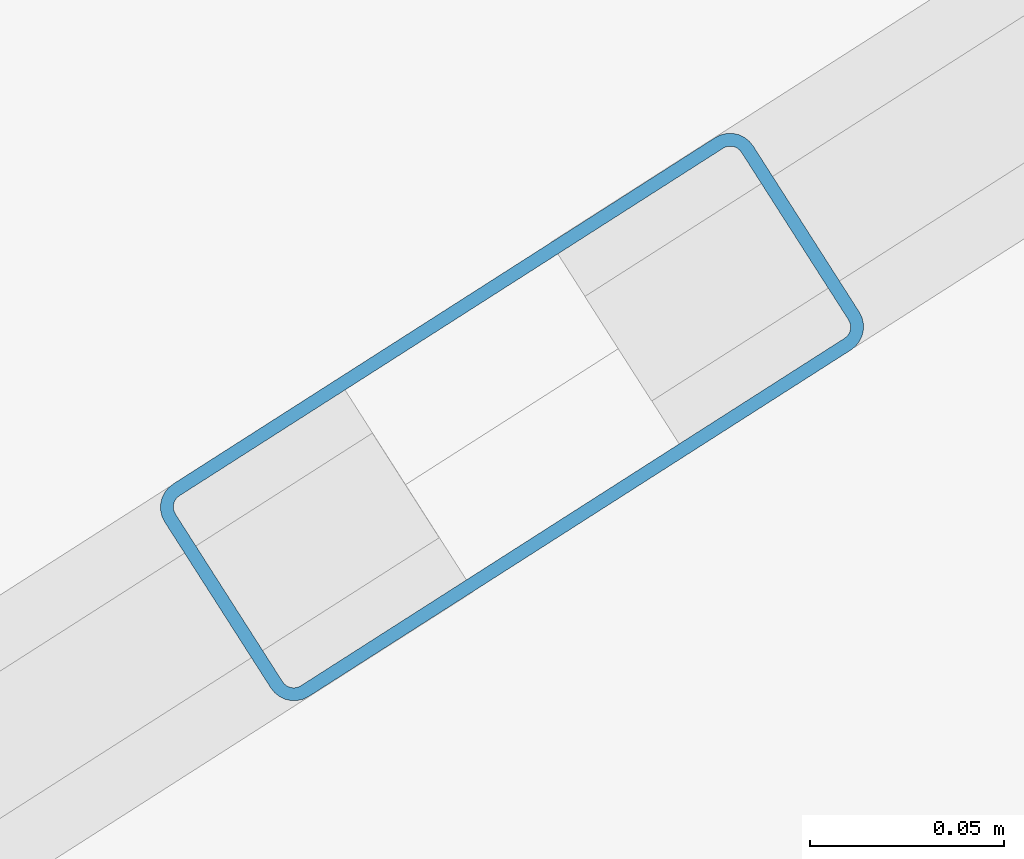
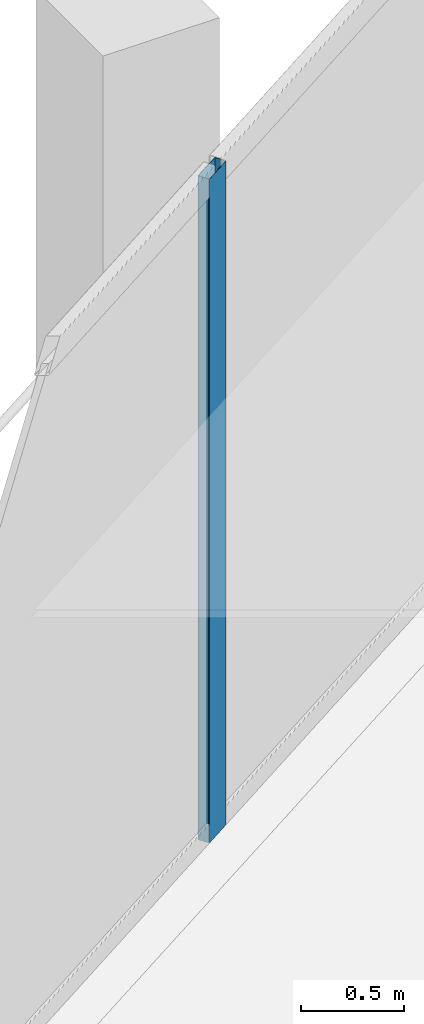
# One storey, part 14 of 45: 1 member, 1 element without a shape of its own.
"""IFC4 building model written with IfcOpenShell, lengths in metres."""

from ifc_helpers import new_model, si_unit, direction, frame, origin, origin_2d, place, context, subcontext, project, spatial, hollow_rectangle, extrude, material, layer, layer_set, material_profile, profile_set, type_object, element, aggregate, save


model = new_model("IFC4")

# Units and contexts
model_context = context("Model", 3, precision=1e-05, world=origin(), true_north=direction((0.0, 1.0)))
body_context = subcontext(model_context, "Body", "Model", "MODEL_VIEW")
ifc_project = project(units=[si_unit("LENGTHUNIT", "METRE"), si_unit("AREAUNIT", "SQUARE_METRE"), si_unit("VOLUMEUNIT", "CUBIC_METRE"), si_unit("PLANEANGLEUNIT", "RADIAN"), si_unit("MASSUNIT", "GRAM", prefix="KILO")], contexts=[model_context])

# Site, building, storey
site_placement = place(None, origin())
site = spatial("IfcSite", under=ifc_project, at=site_placement, CompositionType="ELEMENT")
building_placement = place(site_placement, origin())
building = spatial("IfcBuilding", under=site, at=building_placement, Name="Qorvath Tower", CompositionType="ELEMENT")
storey_placement = place(building_placement, frame((0.0, 0.0, 49.199951171875)))
storey = spatial("IfcBuildingStorey", under=building, at=storey_placement, Name="L10", CompositionType="ELEMENT", Elevation=49.199951171875)

# Curtain wall, member
ifc_material_1 = material(Name="Anodised aluminium and triple low-E glass", Category="aluminium")
ifc_layer = layer(ifc_material_1, 0.179931640625)
ifc_layer_set = layer_set([ifc_layer], Name="CW-SYS-2")
curtain_wall_type = type_object("IfcCurtainWallType", Name="CW-SYS-2", PredefinedType="NOTDEFINED", material=ifc_layer_set)
curtain_wall_placement = place(storey_placement, origin())
curtain_wall = element("IfcCurtainWall", 1, at=curtain_wall_placement, inside=storey, type_object=curtain_wall_type, Name="Curtain Wall CW-2 CW-T-L10-16.3", PredefinedType="NOTDEFINED")
ifc_material_2 = material(Name="Anodised aluminium 6063-T6", Category="aluminium")
ifc_material_profile = material_profile(ifc_material_2, hollow_rectangle(XDim=0.06494140625, YDim=0.179931640625, WallThickness=0.00341796875, InnerFilletRadius=0.00341796875, OuterFilletRadius=0.007080078125, at=origin_2d()), Name="CWM 180x65")
ifc_profile_set = profile_set([ifc_material_profile], Name="Anodised aluminium 6063-T6")
member_type = type_object("IfcMemberType", Name="CWM-180", PredefinedType="MULLION", material=ifc_profile_set)
member_placement = place(storey_placement, frame((-45.677001953125, 13.71435546875, 0.0), z_axis=(0.0, 0.0, 1.0), x_axis=(0.538531853978, -0.842605152044, 0.0)))
member = element("IfcMember", 2, at=member_placement, type_object=member_type, Name="CW-2 mullion 2", PredefinedType="MULLION", context=body_context, shape_type="SweptSolid", body=[
    extrude(hollow_rectangle(XDim=0.06494140625, YDim=0.179931640625, WallThickness=0.00341796875, InnerFilletRadius=0.00341796875, OuterFilletRadius=0.007080078125, at=origin_2d()), origin(), (0.0, 0.0, 1.0), 3.920166015625),
])
aggregate(curtain_wall, [member])

save(model, "model.ifc")
